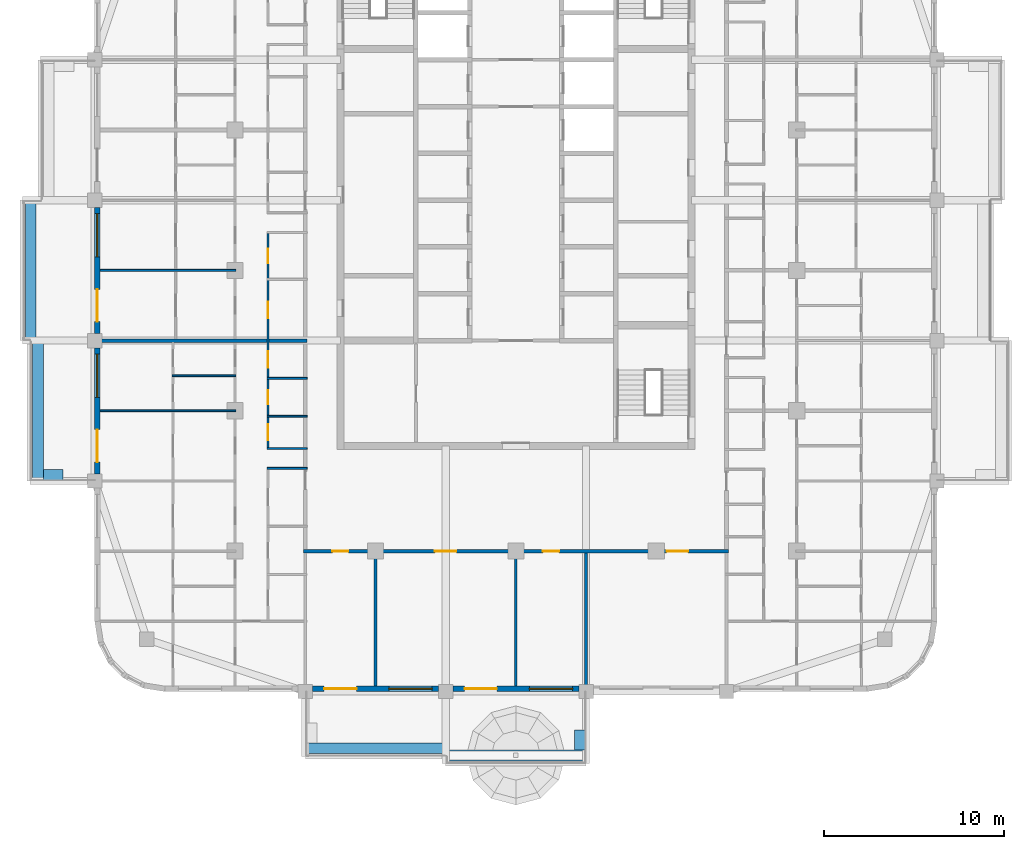
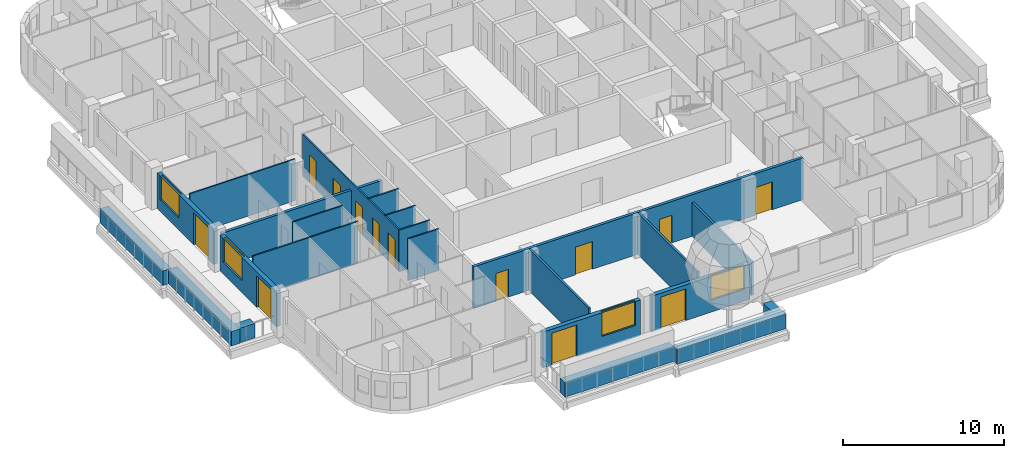
# One storey, part 3 of 17: 23 walls, 13 doors, 4 windows, 17 openings.
"""IFC4 building model written with IfcOpenShell, lengths in metres."""

import ifcopenshell
import ifcopenshell.guid

model = None  # the IFC model being written
_history = None  # IfcOwnerHistory: only IFC2X3 demands one
_inside = {}  # id of a spatial element -> (the spatial element, [elements in it])
_under = {}  # id of a project, library or spatial element -> (it, [spatial elements below it])
_declared = {}  # id of a project -> (the project, [libraries it declares])
_typed = {}  # id of a type object -> (the type object, [elements of that type])
_made_of = {}  # id of a material, layer set ... -> (it, [elements and type objects made of it])


def new_model(schema):
    """Start an empty IFC model of exactly this schema.

    Asked for "IFC4X3", IfcOpenShell would pick the latest addendum, in which some entities
    have other attributes; the version numbers below select the first issue.
    IFC2X3 requires an IfcOwnerHistory on every rooted entity: one is made here for all.
    """
    global model, _history
    if schema == "IFC4X3":
        model = ifcopenshell.file(schema_version=(4, 3, 0, 0))
    else:
        model = ifcopenshell.file(schema=schema)
    _inside.clear()
    _under.clear()
    _declared.clear()
    _typed.clear()
    _made_of.clear()
    _history = None
    if model.schema == "IFC2X3":
        org = make("IfcOrganization", Name="unknown")
        user = make(
            "IfcPersonAndOrganization",
            ThePerson=make("IfcPerson", FamilyName="unknown"),
            TheOrganization=org,
        )
        app = make(
            "IfcApplication",
            ApplicationDeveloper=org,
            Version="unknown",
            ApplicationFullName="unknown",
            ApplicationIdentifier="unknown",
        )
        _history = make(
            "IfcOwnerHistory",
            OwningUser=user,
            OwningApplication=app,
            ChangeAction="ADDED",
            CreationDate=0,
        )
    return model


def make(cls, **values):
    """One entity of the class cls with the attributes given. An attribute that is None is left unset."""
    return model.create_entity(
        cls, **{name: value for name, value in values.items() if value is not None}
    )


def rooted(cls, **values):
    """An entity with a GlobalId (a new one), such as an element, a storey or a relation."""
    return make(cls, GlobalId=ifcopenshell.guid.new(), OwnerHistory=_history, **values)


def si_unit(unit_type, name, prefix=None):
    """IfcSIUnit, for example si_unit("LENGTHUNIT", "METRE", prefix="MILLI")."""
    return make("IfcSIUnit", UnitType=unit_type, Prefix=prefix, Name=name)


def assignment(units):
    """IfcUnitAssignment: the units of a project."""
    return None if units is None else make("IfcUnitAssignment", Units=units)


def point(xyz):
    """IfcCartesianPoint."""
    return None if xyz is None else make("IfcCartesianPoint", Coordinates=xyz)


def direction(xyz):
    """IfcDirection."""
    return None if xyz is None else make("IfcDirection", DirectionRatios=xyz)


def frame(location, z_axis=None, x_axis=None):
    """IfcAxis2Placement3D, a coordinate frame: its origin and axes. An axis left out is left unset."""
    return make(
        "IfcAxis2Placement3D",
        Location=point(location),
        Axis=direction(z_axis),
        RefDirection=direction(x_axis),
    )


def frame_2d(location, x_axis=None):
    """IfcAxis2Placement2D, a coordinate frame in the plane: its origin and x axis."""
    return make(
        "IfcAxis2Placement2D", Location=point(location), RefDirection=direction(x_axis)
    )


def origin():
    """The frame at (0, 0, 0) with its axes left unset."""
    return frame((0.0, 0.0, 0.0))


def place(relative_to, where):
    """IfcLocalPlacement: puts the frame where relative to a parent placement (None: the world)."""
    return make(
        "IfcLocalPlacement", PlacementRelTo=relative_to, RelativePlacement=where
    )


def context(
    kind, dimensions, precision=None, world=None, true_north=None, identifier=None
):
    """IfcGeometricRepresentationContext, for example the 3D "Model" context."""
    return make(
        "IfcGeometricRepresentationContext",
        ContextIdentifier=identifier,
        ContextType=kind,
        CoordinateSpaceDimension=dimensions,
        Precision=precision,
        WorldCoordinateSystem=world,
        TrueNorth=true_north,
    )


def subcontext(parent, identifier, kind, view, scale=None):
    """IfcGeometricRepresentationSubContext, for example "Body" below "Model"."""
    return make(
        "IfcGeometricRepresentationSubContext",
        ContextIdentifier=identifier,
        ContextType=kind,
        ParentContext=parent,
        TargetScale=scale,
        TargetView=view,
    )


def project(units=None, contexts=None):
    """IfcProject with its units and contexts."""
    return rooted(
        "IfcProject",
        Name="project",
        RepresentationContexts=contexts,
        UnitsInContext=assignment(units),
    )


def spatial(cls, under=None, at=None, **own):
    """A site, building, storey or space (cls), placed at a placement, below another one or the project."""
    s = rooted(cls, ObjectPlacement=at, **own)
    if under is not None:
        _under.setdefault(under.id(), (under, []))[1].append(s)
    return s


def profile(cls, at=None, kind="AREA", **sizes):
    """A parametric profile (cls). Its sizes go by their IFC names, for example OverallWidth=200.0."""
    return make(cls, ProfileType=kind, Position=at, **sizes)


def rectangle(**sizes):
    """IfcRectangleProfileDef."""
    return profile("IfcRectangleProfileDef", **sizes)


def extrude(swept, where, along, depth):
    """IfcExtrudedAreaSolid: the profile swept, set in the frame where, extruded along a direction by depth."""
    return make(
        "IfcExtrudedAreaSolid",
        SweptArea=swept,
        Position=where,
        ExtrudedDirection=direction(along),
        Depth=depth,
    )


def shape(context_of_items, identifier, shape_type, items):
    """IfcShapeRepresentation: the items that make up one representation, for example the "Body"."""
    return make(
        "IfcShapeRepresentation",
        ContextOfItems=context_of_items,
        RepresentationIdentifier=identifier,
        RepresentationType=shape_type,
        Items=items,
    )


def material(Name=None, Category=None):
    """IfcMaterial."""
    return make("IfcMaterial", Name=Name, Category=Category)


def layer(
    of_material, thickness, ventilated=None, Name=None, Category=None, Priority=None
):
    """IfcMaterialLayer: one layer of a wall or slab, of a material (None: an air gap)."""
    return make(
        "IfcMaterialLayer",
        Material=of_material,
        LayerThickness=thickness,
        IsVentilated=ventilated,
        Name=Name,
        Category=Category,
        Priority=Priority,
    )


def layer_set(layers, Name=None):
    """IfcMaterialLayerSet."""
    return make("IfcMaterialLayerSet", MaterialLayers=layers, LayerSetName=Name)


def made_of(thing, what):
    """Note that an element or type object is made of a material, layer set ...; save() writes the relation."""
    if what is not None:
        _made_of.setdefault(what.id(), (what, []))[1].append(thing)
    return thing


def type_object(cls, material=None, **own):
    """A type object (cls), such as IfcWallType, which elements share."""
    return made_of(rooted(cls, **own), material)


def element(
    cls,
    number,
    at=None,
    inside=None,
    cuts=None,
    type_object=None,
    material=None,
    context=None,
    identifier="Body",
    shape_type=None,
    held_by="IfcProductDefinitionShape",
    body=None,
    shapes=None,
    **own,
):
    """One element of the class cls, such as IfcWall. Its Tag is "e" and its number.

    at: its placement. inside: the storey or other place that contains it. cuts: it is an
    opening in that element (IfcRelVoidsElement). A single representation is given by context,
    identifier, shape_type and body (its items); several are given by shapes. held_by: the class
    of the entity that holds the representations. save() writes the other relations.
    """
    e = rooted(cls, Tag="e%d" % number, ObjectPlacement=at, **own)
    if body is not None:
        shapes = [shape(context, identifier, shape_type, body)]
    if shapes is not None:
        e.Representation = make(held_by, Representations=shapes)
    if inside is not None:
        _inside.setdefault(inside.id(), (inside, []))[1].append(e)
    if cuts is not None:
        rooted(
            "IfcRelVoidsElement", RelatingBuildingElement=cuts, RelatedOpeningElement=e
        )
    if type_object is not None:
        _typed.setdefault(type_object.id(), (type_object, []))[1].append(e)
    return made_of(e, material)


def fill(opening, filler):
    """IfcRelFillsElement: the door or window that sits in an opening."""
    return rooted(
        "IfcRelFillsElement",
        RelatingOpeningElement=opening,
        RelatedBuildingElement=filler,
    )


def aggregate(whole, parts):
    """IfcRelAggregates: a whole, such as a stair, and the parts it consists of."""
    return rooted("IfcRelAggregates", RelatingObject=whole, RelatedObjects=parts)


def save(model, path):
    """Write the relations noted so far, then the file.

    IfcRelAggregates (storeys below a building ...), IfcRelContainedInSpatialStructure (elements
    in a storey), IfcRelDefinesByType, IfcRelAssociatesMaterial and IfcRelDeclares: one each for
    every whole, place, type object, material and project.
    """
    for whole, parts in _under.values():
        aggregate(whole, parts)
    for where, things in _inside.values():
        rooted(
            "IfcRelContainedInSpatialStructure",
            RelatedElements=things,
            RelatingStructure=where,
        )
    for kind, things in _typed.values():
        rooted("IfcRelDefinesByType", RelatedObjects=things, RelatingType=kind)
    for what, things in _made_of.values():
        rooted("IfcRelAssociatesMaterial", RelatedObjects=things, RelatingMaterial=what)
    for by, libraries in _declared.values():
        rooted("IfcRelDeclares", RelatingContext=by, RelatedDefinitions=libraries)
    model.write(path)


model = new_model("IFC4")

# Units and contexts
model_context = context("Model", 3, precision=1e-05, world=origin(), true_north=direction((0.0, 1.0)))
body_context = subcontext(model_context, "Body", "Model", "MODEL_VIEW")
ifc_project = project(units=[si_unit("LENGTHUNIT", "METRE"), si_unit("AREAUNIT", "SQUARE_METRE"), si_unit("VOLUMEUNIT", "CUBIC_METRE"), si_unit("PLANEANGLEUNIT", "RADIAN"), si_unit("MASSUNIT", "GRAM", prefix="KILO")], contexts=[model_context])

# Site, building, storey
site_placement = place(None, origin())
site = spatial("IfcSite", under=ifc_project, at=site_placement, CompositionType="ELEMENT")
building_placement = place(site_placement, origin())
building = spatial("IfcBuilding", under=site, at=building_placement, Name="Ludao Terraces", CompositionType="ELEMENT")
storey_placement = place(building_placement, frame((0.0, 0.0, 221.10009765625)))
storey = spatial("IfcBuildingStorey", under=building, at=storey_placement, Name="L60", CompositionType="ELEMENT", Elevation=221.10009765625)

# Walls
ifc_material_1 = material(Name="Concrete C40", Category="concrete")
ifc_layer_1 = layer(ifc_material_1, 0.60009765625)
ifc_layer_set_1 = layer_set([ifc_layer_1], Name="ENV Planter trough 600")
wall_type_1 = type_object("IfcWallType", Name="ENV Planter trough 600", PredefinedType="USERDEFINED", material=ifc_layer_set_1)
wall_1_placement = place(storey_placement, frame((73.300048828125, 38.449951171875, 0.0), z_axis=(0.0, 0.0, 1.0), x_axis=(1.0, 0.0, 0.0)))
element("IfcWall", 1, at=wall_1_placement, inside=storey, type_object=wall_type_1, Name="PL-L60-S1", ObjectType="PLANTER", PredefinedType="USERDEFINED", context=body_context, shape_type="SweptSolid", body=[
    extrude(rectangle(XDim=7.800048828125, YDim=0.60009765625, at=frame_2d((3.89990234375, 0.0))), origin(), (0.0, 0.0, 1.0), 1.099853515625),
])
wall_2_placement = place(storey_placement, frame((81.10009765625, 38.050048828125, 0.0), z_axis=(0.0, 0.0, 1.0), x_axis=(1.0, 0.0, 0.0)))
element("IfcWall", 2, at=wall_2_placement, inside=storey, type_object=wall_type_1, Name="PL-L60-S2", ObjectType="PLANTER", PredefinedType="USERDEFINED", context=body_context, shape_type="SweptSolid", body=[
    extrude(rectangle(XDim=7.7998046875, YDim=0.60009765625, at=frame_2d((3.89990234375, 0.0))), origin(), (0.0, 0.0, 1.0), 1.099853515625),
])
wall_3_placement = place(storey_placement, frame((88.550048828125, 38.35009765625, 0.0), z_axis=(0.0, 0.0, 1.0), x_axis=(0.0, 1.0, 0.0)))
element("IfcWall", 3, at=wall_3_placement, inside=storey, type_object=wall_type_1, Name="PL-L60-S2-SB", ObjectType="PLANTER", PredefinedType="USERDEFINED", context=body_context, shape_type="SweptSolid", body=[
    extrude(rectangle(XDim=1.099853515625, YDim=0.60009765625, at=frame_2d((0.5498046875, 0.0))), origin(), (0.0, 0.0, 1.0), 1.099853515625),
])
wall_4_placement = place(storey_placement, frame((58.449951171875, 53.300048828125, 0.0), z_axis=(0.0, 0.0, 1.0), x_axis=(0.0, 1.0, 0.0)))
element("IfcWall", 4, at=wall_4_placement, inside=storey, type_object=wall_type_1, Name="PL-L60-W1", ObjectType="PLANTER", PredefinedType="USERDEFINED", context=body_context, shape_type="SweptSolid", body=[
    extrude(rectangle(XDim=7.800048828125, YDim=0.60009765625, at=frame_2d((3.89990234375, 0.0))), origin(), (0.0, 0.0, 1.0), 1.099853515625),
])
wall_5_placement = place(storey_placement, frame((58.75, 53.64990234375, 0.0), z_axis=(0.0, 0.0, 1.0), x_axis=(1.0, 0.0, 0.0)))
element("IfcWall", 5, at=wall_5_placement, inside=storey, type_object=wall_type_1, Name="PL-L60-W1-SA", ObjectType="PLANTER", PredefinedType="USERDEFINED", context=body_context, shape_type="SweptSolid", body=[
    extrude(rectangle(XDim=1.10009765625, YDim=0.60009765625, at=frame_2d((0.550048828125, 0.0))), origin(), (0.0, 0.0, 1.0), 1.099853515625),
])
wall_6_placement = place(storey_placement, frame((58.050048828125, 61.10009765625, 0.0), z_axis=(0.0, 0.0, 1.0), x_axis=(0.0, 1.0, 0.0)))
element("IfcWall", 6, at=wall_6_placement, inside=storey, type_object=wall_type_1, Name="PL-L60-W2", ObjectType="PLANTER", PredefinedType="USERDEFINED", context=body_context, shape_type="SweptSolid", body=[
    extrude(rectangle(XDim=7.7998046875, YDim=0.60009765625, at=frame_2d((3.89990234375, 0.0))), origin(), (0.0, 0.0, 1.0), 1.099853515625),
])

# Wall, openings, door, window
ifc_material_2 = material(Name="Granite cladding", Category="masonry")
ifc_layer_2 = layer(ifc_material_2, 0.0400390625, Category="stone")
ifc_material_3 = material(Name="Mineral wool")
ifc_layer_3 = layer(ifc_material_3, 0.06005859375)
ifc_layer_4 = layer(ifc_material_1, 0.199951171875, Category="concrete")
ifc_layer_set_2 = layer_set([ifc_layer_2, ifc_layer_3, ifc_layer_4], Name="ENV Stone-clad wall 300")
wall_type_2 = type_object("IfcWallType", Name="ENV Stone-clad wall 300", PredefinedType="SOLIDWALL", material=ifc_layer_set_2)
wall_7_placement = place(storey_placement, frame((73.699951171875, 41.75, 0.0), z_axis=(0.0, 0.0, 1.0), x_axis=(1.0, 0.0, 0.0)))
wall_7 = element("IfcWall", 7, at=wall_7_placement, inside=storey, type_object=wall_type_2, Name="EW-L60-S2", PredefinedType="SOLIDWALL", context=body_context, shape_type="SweptSolid", body=[
    extrude(rectangle(XDim=7.0, YDim=0.300048828125, at=frame_2d((3.5, 0.0))), origin(), (0.0, 0.0, 1.0), 2.699951171875),
])
opening_1_placement = place(wall_7_placement, frame((0.64990234375, 0.0, 0.0)))
opening_1 = element("IfcOpeningElement", 8, at=opening_1_placement, cuts=wall_7, Name="Opening BD", PredefinedType="OPENING", context=body_context, shape_type="SweptSolid", body=[
    extrude(rectangle(XDim=1.800048828125, YDim=2.39990234375, at=frame_2d((0.89990234375, 1.199951171875))), frame((0.0, 0.16015625, 0.0), z_axis=(0.0, -1.0, 0.0), x_axis=(1.0, 0.0, 0.0)), (0.0, 0.0, 1.0), 0.320068359375),
])
opening_2_placement = place(wall_7_placement, frame((4.25, 0.0, 0.89990234375)))
opening_2 = element("IfcOpeningElement", 9, at=opening_2_placement, cuts=wall_7, Name="Opening W1", PredefinedType="OPENING", context=body_context, shape_type="SweptSolid", body=[
    extrude(rectangle(XDim=2.39990234375, YDim=1.800048828125, at=frame_2d((1.199951171875, 0.89990234375))), frame((0.0, 0.16015625, 0.0), z_axis=(0.0, -1.0, 0.0), x_axis=(1.0, 0.0, 0.0)), (0.0, 0.0, 1.0), 0.320068359375),
])
ifc_material_4 = material(Name="Aluminium glazed door", Category="aluminium")
ifc_layer_5 = layer(ifc_material_4, 0.06005859375)
ifc_layer_set_3 = layer_set([ifc_layer_5], Name="ENV Balcony door BD 1800x2400")
door_type_1 = type_object("IfcDoorType", Name="ENV Balcony door BD 1800x2400", OperationType="DOUBLE_DOOR_SINGLE_SWING", PredefinedType="DOOR", material=ifc_layer_set_3)
door_1_placement = place(opening_1_placement, origin())
door_1 = element("IfcDoor", 10, at=door_1_placement, inside=storey, type_object=door_type_1, Name="BD-L60-S2-1", OperationType="DOUBLE_DOOR_SINGLE_SWING", OverallHeight=2.39990234375, OverallWidth=1.800048828125, PredefinedType="DOOR", context=body_context, shape_type="SweptSolid", body=[
    extrude(rectangle(XDim=1.800048828125, YDim=2.39990234375, at=frame_2d((0.89990234375, 1.199951171875))), frame((0.0, 0.02490234375, 0.0), z_axis=(0.0, -1.0, 0.0), x_axis=(1.0, 0.0, 0.0)), (0.0, 0.0, 1.0), 0.050048828125),
])
fill(opening_1, door_1)
ifc_material_5 = material(Name="Clear glass in aluminium frame", Category="aluminium")
ifc_layer_6 = layer(ifc_material_5, 0.06005859375)
ifc_layer_set_4 = layer_set([ifc_layer_6], Name="ENV Window W1 2400x1800")
window_type = type_object("IfcWindowType", Name="ENV Window W1 2400x1800", PartitioningType="DOUBLE_PANEL_VERTICAL", PredefinedType="WINDOW", material=ifc_layer_set_4)
window_1_placement = place(opening_2_placement, origin())
window_1 = element("IfcWindow", 11, at=window_1_placement, inside=storey, type_object=window_type, Name="W-L60-S2-2", OverallHeight=1.800048828125, OverallWidth=2.39990234375, PartitioningType="DOUBLE_PANEL_VERTICAL", PredefinedType="WINDOW", context=body_context, shape_type="SweptSolid", body=[
    extrude(rectangle(XDim=2.39990234375, YDim=1.800048828125, at=frame_2d((1.199951171875, 0.89990234375))), frame((0.0, 0.030029296875, 0.0), z_axis=(0.0, -1.0, 0.0), x_axis=(1.0, 0.0, 0.0)), (0.0, 0.0, 1.0), 0.06005859375),
])
fill(opening_2, window_1)

wall_8_placement = place(storey_placement, frame((81.5, 41.75, 0.0), z_axis=(0.0, 0.0, 1.0), x_axis=(1.0, 0.0, 0.0)))
wall_8 = element("IfcWall", 12, at=wall_8_placement, inside=storey, type_object=wall_type_2, Name="EW-L60-S3", PredefinedType="SOLIDWALL", context=body_context, shape_type="SweptSolid", body=[
    extrude(rectangle(XDim=7.0, YDim=0.300048828125, at=frame_2d((3.5, 0.0))), origin(), (0.0, 0.0, 1.0), 2.699951171875),
])
opening_3_placement = place(wall_8_placement, frame((0.64990234375, 0.0, 0.0)))
opening_3 = element("IfcOpeningElement", 13, at=opening_3_placement, cuts=wall_8, Name="Opening BD", PredefinedType="OPENING", context=body_context, shape_type="SweptSolid", body=[
    extrude(rectangle(XDim=1.800048828125, YDim=2.39990234375, at=frame_2d((0.89990234375, 1.199951171875))), frame((0.0, 0.16015625, 0.0), z_axis=(0.0, -1.0, 0.0), x_axis=(1.0, 0.0, 0.0)), (0.0, 0.0, 1.0), 0.320068359375),
])
opening_4_placement = place(wall_8_placement, frame((4.25, 0.0, 0.89990234375)))
opening_4 = element("IfcOpeningElement", 14, at=opening_4_placement, cuts=wall_8, Name="Opening W1", PredefinedType="OPENING", context=body_context, shape_type="SweptSolid", body=[
    extrude(rectangle(XDim=2.39990234375, YDim=1.800048828125, at=frame_2d((1.199951171875, 0.89990234375))), frame((0.0, 0.16015625, 0.0), z_axis=(0.0, -1.0, 0.0), x_axis=(1.0, 0.0, 0.0)), (0.0, 0.0, 1.0), 0.320068359375),
])
door_2_placement = place(opening_3_placement, origin())
door_2 = element("IfcDoor", 15, at=door_2_placement, inside=storey, type_object=door_type_1, Name="BD-L60-S3-1", OperationType="DOUBLE_DOOR_SINGLE_SWING", OverallHeight=2.39990234375, OverallWidth=1.800048828125, PredefinedType="DOOR", context=body_context, shape_type="SweptSolid", body=[
    extrude(rectangle(XDim=1.800048828125, YDim=2.39990234375, at=frame_2d((0.89990234375, 1.199951171875))), frame((0.0, 0.02490234375, 0.0), z_axis=(0.0, -1.0, 0.0), x_axis=(1.0, 0.0, 0.0)), (0.0, 0.0, 1.0), 0.050048828125),
])
fill(opening_3, door_2)
window_2_placement = place(opening_4_placement, origin())
window_2 = element("IfcWindow", 16, at=window_2_placement, inside=storey, type_object=window_type, Name="W-L60-S3-2", OverallHeight=1.800048828125, OverallWidth=2.39990234375, PartitioningType="DOUBLE_PANEL_VERTICAL", PredefinedType="WINDOW", context=body_context, shape_type="SweptSolid", body=[
    extrude(rectangle(XDim=2.39990234375, YDim=1.800048828125, at=frame_2d((1.199951171875, 0.89990234375))), frame((0.0, 0.030029296875, 0.0), z_axis=(0.0, -1.0, 0.0), x_axis=(1.0, 0.0, 0.0)), (0.0, 0.0, 1.0), 0.06005859375),
])
fill(opening_4, window_2)

wall_9_placement = place(storey_placement, frame((61.75, 53.699951171875, 0.0), z_axis=(0.0, 0.0, 1.0), x_axis=(0.0, 1.0, 0.0)))
wall_9 = element("IfcWall", 17, at=wall_9_placement, inside=storey, type_object=wall_type_2, Name="EW-L60-W2", PredefinedType="SOLIDWALL", context=body_context, shape_type="SweptSolid", body=[
    extrude(rectangle(XDim=7.0, YDim=0.300048828125, at=frame_2d((3.5, 0.0))), origin(), (0.0, 0.0, 1.0), 2.699951171875),
])
opening_5_placement = place(wall_9_placement, frame((0.64990234375, 0.0, 0.0)))
opening_5 = element("IfcOpeningElement", 18, at=opening_5_placement, cuts=wall_9, Name="Opening BD", PredefinedType="OPENING", context=body_context, shape_type="SweptSolid", body=[
    extrude(rectangle(XDim=1.800048828125, YDim=2.39990234375, at=frame_2d((0.89990234375, 1.199951171875))), frame((0.0, 0.16015625, 0.0), z_axis=(0.0, -1.0, 0.0), x_axis=(1.0, 0.0, 0.0)), (0.0, 0.0, 1.0), 0.320068359375),
])
opening_6_placement = place(wall_9_placement, frame((4.25, 0.0, 0.89990234375)))
opening_6 = element("IfcOpeningElement", 19, at=opening_6_placement, cuts=wall_9, Name="Opening W1", PredefinedType="OPENING", context=body_context, shape_type="SweptSolid", body=[
    extrude(rectangle(XDim=2.39990234375, YDim=1.800048828125, at=frame_2d((1.199951171875, 0.89990234375))), frame((0.0, 0.16015625, 0.0), z_axis=(0.0, -1.0, 0.0), x_axis=(1.0, 0.0, 0.0)), (0.0, 0.0, 1.0), 0.320068359375),
])
door_3_placement = place(opening_5_placement, origin())
door_3 = element("IfcDoor", 20, at=door_3_placement, inside=storey, type_object=door_type_1, Name="BD-L60-W2-1", OperationType="DOUBLE_DOOR_SINGLE_SWING", OverallHeight=2.39990234375, OverallWidth=1.800048828125, PredefinedType="DOOR", context=body_context, shape_type="SweptSolid", body=[
    extrude(rectangle(XDim=1.800048828125, YDim=2.39990234375, at=frame_2d((0.89990234375, 1.199951171875))), frame((0.0, 0.02490234375, 0.0), z_axis=(0.0, -1.0, 0.0), x_axis=(1.0, 0.0, 0.0)), (0.0, 0.0, 1.0), 0.050048828125),
])
fill(opening_5, door_3)
window_3_placement = place(opening_6_placement, origin())
window_3 = element("IfcWindow", 21, at=window_3_placement, inside=storey, type_object=window_type, Name="W-L60-W2-2", OverallHeight=1.800048828125, OverallWidth=2.39990234375, PartitioningType="DOUBLE_PANEL_VERTICAL", PredefinedType="WINDOW", context=body_context, shape_type="SweptSolid", body=[
    extrude(rectangle(XDim=2.39990234375, YDim=1.800048828125, at=frame_2d((1.199951171875, 0.89990234375))), frame((0.0, 0.030029296875, 0.0), z_axis=(0.0, -1.0, 0.0), x_axis=(1.0, 0.0, 0.0)), (0.0, 0.0, 1.0), 0.06005859375),
])
fill(opening_6, window_3)

wall_10_placement = place(storey_placement, frame((61.75, 61.5, 0.0), z_axis=(0.0, 0.0, 1.0), x_axis=(0.0, 1.0, 0.0)))
wall_10 = element("IfcWall", 22, at=wall_10_placement, inside=storey, type_object=wall_type_2, Name="EW-L60-W3", PredefinedType="SOLIDWALL", context=body_context, shape_type="SweptSolid", body=[
    extrude(rectangle(XDim=7.0, YDim=0.300048828125, at=frame_2d((3.5, 0.0))), origin(), (0.0, 0.0, 1.0), 2.699951171875),
])
opening_7_placement = place(wall_10_placement, frame((0.64990234375, 0.0, 0.0)))
opening_7 = element("IfcOpeningElement", 23, at=opening_7_placement, cuts=wall_10, Name="Opening BD", PredefinedType="OPENING", context=body_context, shape_type="SweptSolid", body=[
    extrude(rectangle(XDim=1.800048828125, YDim=2.39990234375, at=frame_2d((0.89990234375, 1.199951171875))), frame((0.0, 0.16015625, 0.0), z_axis=(0.0, -1.0, 0.0), x_axis=(1.0, 0.0, 0.0)), (0.0, 0.0, 1.0), 0.320068359375),
])
opening_8_placement = place(wall_10_placement, frame((4.25, 0.0, 0.89990234375)))
opening_8 = element("IfcOpeningElement", 24, at=opening_8_placement, cuts=wall_10, Name="Opening W1", PredefinedType="OPENING", context=body_context, shape_type="SweptSolid", body=[
    extrude(rectangle(XDim=2.39990234375, YDim=1.800048828125, at=frame_2d((1.199951171875, 0.89990234375))), frame((0.0, 0.16015625, 0.0), z_axis=(0.0, -1.0, 0.0), x_axis=(1.0, 0.0, 0.0)), (0.0, 0.0, 1.0), 0.320068359375),
])
door_4_placement = place(opening_7_placement, origin())
door_4 = element("IfcDoor", 25, at=door_4_placement, inside=storey, type_object=door_type_1, Name="BD-L60-W3-1", OperationType="DOUBLE_DOOR_SINGLE_SWING", OverallHeight=2.39990234375, OverallWidth=1.800048828125, PredefinedType="DOOR", context=body_context, shape_type="SweptSolid", body=[
    extrude(rectangle(XDim=1.800048828125, YDim=2.39990234375, at=frame_2d((0.89990234375, 1.199951171875))), frame((0.0, 0.02490234375, 0.0), z_axis=(0.0, -1.0, 0.0), x_axis=(1.0, 0.0, 0.0)), (0.0, 0.0, 1.0), 0.050048828125),
])
fill(opening_7, door_4)
window_4_placement = place(opening_8_placement, origin())
window_4 = element("IfcWindow", 26, at=window_4_placement, inside=storey, type_object=window_type, Name="W-L60-W3-2", OverallHeight=1.800048828125, OverallWidth=2.39990234375, PartitioningType="DOUBLE_PANEL_VERTICAL", PredefinedType="WINDOW", context=body_context, shape_type="SweptSolid", body=[
    extrude(rectangle(XDim=2.39990234375, YDim=1.800048828125, at=frame_2d((1.199951171875, 0.89990234375))), frame((0.0, 0.030029296875, 0.0), z_axis=(0.0, -1.0, 0.0), x_axis=(1.0, 0.0, 0.0)), (0.0, 0.0, 1.0), 0.06005859375),
])
fill(opening_8, window_4)

# Wall, openings, doors
ifc_material_6 = material(Name="Autoclaved aerated concrete block B06 A3.5", Category="concrete")
ifc_layer_7 = layer(ifc_material_6, 0.199951171875)
ifc_layer_set_5 = layer_set([ifc_layer_7], Name="INT Entrance wall 200")
wall_type_3 = type_object("IfcWallType", Name="INT Entrance wall 200", PredefinedType="PARTITIONING", material=ifc_layer_set_5)
wall_11_placement = place(storey_placement, frame((73.2001953125, 49.39990234375, 0.0), z_axis=(0.0, 0.0, 1.0), x_axis=(1.0, 0.0, 0.0)))
wall_11 = element("IfcWall", 27, at=wall_11_placement, inside=storey, type_object=wall_type_3, Name="PW-L60-PW007", PredefinedType="PARTITIONING", context=body_context, shape_type="SweptSolid", body=[
    extrude(rectangle(XDim=23.599853515625, YDim=0.199951171875, at=frame_2d((11.7998046875, 0.0))), origin(), (0.0, 0.0, 1.0), 3.14990234375),
])
opening_9_placement = place(wall_11_placement, frame((1.599853515625, 0.0, 0.0)))
opening_9 = element("IfcOpeningElement", 28, at=opening_9_placement, cuts=wall_11, Name="Opening R21-016", PredefinedType="OPENING", context=body_context, shape_type="SweptSolid", body=[
    extrude(rectangle(XDim=0.89990234375, YDim=2.10009765625, at=frame_2d((0.449951171875, 1.050048828125))), frame((0.0, 0.10986328125, 0.0), z_axis=(0.0, -1.0, 0.0), x_axis=(1.0, 0.0, 0.0)), (0.0, 0.0, 1.0), 0.219970703125),
])
opening_10_placement = place(wall_11_placement, frame((7.2998046875, 0.0, 0.0)))
opening_10 = element("IfcOpeningElement", 29, at=opening_10_placement, cuts=wall_11, Name="Opening R21-017", PredefinedType="OPENING", context=body_context, shape_type="SweptSolid", body=[
    extrude(rectangle(XDim=1.199951171875, YDim=2.10009765625, at=frame_2d((0.60009765625, 1.050048828125))), frame((0.0, 0.10986328125, 0.0), z_axis=(0.0, -1.0, 0.0), x_axis=(1.0, 0.0, 0.0)), (0.0, 0.0, 1.0), 0.219970703125),
])
opening_11_placement = place(wall_11_placement, frame((13.2998046875, 0.0, 0.0)))
opening_11 = element("IfcOpeningElement", 30, at=opening_11_placement, cuts=wall_11, Name="Opening R21-018", PredefinedType="OPENING", context=body_context, shape_type="SweptSolid", body=[
    extrude(rectangle(XDim=0.89990234375, YDim=2.10009765625, at=frame_2d((0.449951171875, 1.050048828125))), frame((0.0, 0.10986328125, 0.0), z_axis=(0.0, -1.0, 0.0), x_axis=(1.0, 0.0, 0.0)), (0.0, 0.0, 1.0), 0.219970703125),
])
opening_12_placement = place(wall_11_placement, frame((20.1748046875, 0.0, 0.0)))
opening_12 = element("IfcOpeningElement", 31, at=opening_12_placement, cuts=wall_11, Name="Opening R21-019", PredefinedType="OPENING", context=body_context, shape_type="SweptSolid", body=[
    extrude(rectangle(XDim=1.199951171875, YDim=2.10009765625, at=frame_2d((0.60009765625, 1.050048828125))), frame((0.0, 0.10986328125, 0.0), z_axis=(0.0, -1.0, 0.0), x_axis=(1.0, 0.0, 0.0)), (0.0, 0.0, 1.0), 0.219970703125),
])
ifc_material_7 = material(Name="Timber door leaf", Category="wood")
door_type_2 = type_object("IfcDoorType", Name="INT Double door 1200", OperationType="DOUBLE_DOOR_SINGLE_SWING", PredefinedType="DOOR", material=ifc_material_7)
door_5_placement = place(opening_10_placement, origin())
door_5 = element("IfcDoor", 32, at=door_5_placement, inside=storey, type_object=door_type_2, Name="DOOR 017", OperationType="DOUBLE_DOOR_SINGLE_SWING", OverallHeight=2.10009765625, OverallWidth=1.199951171875, PredefinedType="DOOR", context=body_context, shape_type="SweptSolid", body=[
    extrude(rectangle(XDim=1.199951171875, YDim=2.10009765625, at=frame_2d((0.60009765625, 1.050048828125))), frame((0.0, 0.02490234375, 0.0), z_axis=(0.0, -1.0, 0.0), x_axis=(1.0, 0.0, 0.0)), (0.0, 0.0, 1.0), 0.050048828125),
])
fill(opening_10, door_5)
door_6_placement = place(opening_12_placement, origin())
door_6 = element("IfcDoor", 33, at=door_6_placement, inside=storey, type_object=door_type_2, Name="DOOR 019", OperationType="DOUBLE_DOOR_SINGLE_SWING", OverallHeight=2.10009765625, OverallWidth=1.199951171875, PredefinedType="DOOR", context=body_context, shape_type="SweptSolid", body=[
    extrude(rectangle(XDim=1.199951171875, YDim=2.10009765625, at=frame_2d((0.60009765625, 1.050048828125))), frame((0.0, 0.02490234375, 0.0), z_axis=(0.0, -1.0, 0.0), x_axis=(1.0, 0.0, 0.0)), (0.0, 0.0, 1.0), 0.050048828125),
])
fill(opening_12, door_6)
door_type_3 = type_object("IfcDoorType", Name="INT Room door 900", OperationType="SINGLE_SWING_LEFT", PredefinedType="DOOR", material=ifc_material_7)
door_7_placement = place(opening_9_placement, origin())
door_7 = element("IfcDoor", 34, at=door_7_placement, inside=storey, type_object=door_type_3, Name="DOOR 016", OperationType="SINGLE_SWING_RIGHT", OverallHeight=2.10009765625, OverallWidth=0.89990234375, PredefinedType="DOOR", context=body_context, shape_type="SweptSolid", body=[
    extrude(rectangle(XDim=0.89990234375, YDim=2.10009765625, at=frame_2d((0.449951171875, 1.050048828125))), frame((0.0, 0.02490234375, 0.0), z_axis=(0.0, -1.0, 0.0), x_axis=(1.0, 0.0, 0.0)), (0.0, 0.0, 1.0), 0.050048828125),
])
fill(opening_9, door_7)
door_8_placement = place(opening_11_placement, origin())
door_8 = element("IfcDoor", 35, at=door_8_placement, inside=storey, type_object=door_type_3, Name="DOOR 018", OperationType="SINGLE_SWING_RIGHT", OverallHeight=2.10009765625, OverallWidth=0.89990234375, PredefinedType="DOOR", context=body_context, shape_type="SweptSolid", body=[
    extrude(rectangle(XDim=0.89990234375, YDim=2.10009765625, at=frame_2d((0.449951171875, 1.050048828125))), frame((0.0, 0.02490234375, 0.0), z_axis=(0.0, -1.0, 0.0), x_axis=(1.0, 0.0, 0.0)), (0.0, 0.0, 1.0), 0.050048828125),
])
fill(opening_11, door_8)

# Walls
ifc_material_8 = material(Name="Gypsum plasterboard", Category="gypsum")
ifc_layer_8 = layer(ifc_material_8, 0.012451171875, Category="gypsum")
ifc_layer_9 = layer(ifc_material_3, 0.06005859375, Name="insulation")
ifc_material_9 = material(Name="Steel Q235", Category="steel")
ifc_layer_10 = layer(ifc_material_9, 0.014892578125, Name="stud")
ifc_layer_11 = layer(ifc_material_8, 0.012451171875, Category="gypsum")
ifc_layer_set_6 = layer_set([ifc_layer_8, ifc_layer_9, ifc_layer_10, ifc_layer_11], Name="INT Partition 100")
wall_type_4 = type_object("IfcWallType", Name="INT Partition 100", PredefinedType="PARTITIONING", material=ifc_layer_set_6)
for number, where, z_axis, x_axis, name in (
    (36, (71.18017578125, 54.0, 0.0), (0.0, 0.0, 1.0), (1.0, 0.0, 0.0), "PW-L60-PW015"),
    (37, (71.18017578125, 55.10009765625, 0.0), (0.0, 0.0, 1.0), (1.0, 0.0, 0.0), "PW-L60-PW017"),
    (38, (71.18017578125, 56.89990234375, 0.0), (0.0, 0.0, 1.0), (1.0, 0.0, 0.0), "PW-L60-PW019"),
):
    element("IfcWall", number, at=place(storey_placement, frame(where, z_axis=z_axis, x_axis=x_axis)), inside=storey, type_object=wall_type_4, Name=name, PredefinedType="PARTITIONING", context=body_context, shape_type="SweptSolid", body=[
        extrude(rectangle(XDim=2.219970703125, YDim=0.10009765625, at=frame_2d((1.10986328125, 0.0))), origin(), (0.0, 0.0, 1.0), 3.14990234375),
    ])
wall_12_placement = place(storey_placement, frame((61.900146484375, 57.199951171875, 0.0), z_axis=(0.0, 0.0, 1.0), x_axis=(1.0, 0.0, 0.0)))
element("IfcWall", 39, at=wall_12_placement, inside=storey, type_object=wall_type_4, Name="PW-L60-PW020", PredefinedType="PARTITIONING", context=body_context, shape_type="SweptSolid", body=[
    extrude(rectangle(XDim=7.550048828125, YDim=0.10009765625, at=frame_2d((3.77490234375, 0.0))), origin(), (0.0, 0.0, 1.0), 3.14990234375),
])
wall_13_placement = place(storey_placement, frame((71.18017578125, 59.0, 0.0), z_axis=(0.0, 0.0, 1.0), x_axis=(1.0, 0.0, 0.0)))
element("IfcWall", 40, at=wall_13_placement, inside=storey, type_object=wall_type_4, Name="PW-L60-PW022", PredefinedType="PARTITIONING", context=body_context, shape_type="SweptSolid", body=[
    extrude(rectangle(XDim=2.219970703125, YDim=0.10009765625, at=frame_2d((1.10986328125, 0.0))), origin(), (0.0, 0.0, 1.0), 3.14990234375),
])
wall_14_placement = place(storey_placement, frame((65.900146484375, 59.14990234375, 0.0), z_axis=(0.0, 0.0, 1.0), x_axis=(1.0, 0.0, 0.0)))
element("IfcWall", 41, at=wall_14_placement, inside=storey, type_object=wall_type_4, Name="PW-L60-PW024", PredefinedType="PARTITIONING", context=body_context, shape_type="SweptSolid", body=[
    extrude(rectangle(XDim=3.550048828125, YDim=0.10009765625, at=frame_2d((1.77490234375, 0.0))), origin(), (0.0, 0.0, 1.0), 3.14990234375),
])
wall_15_placement = place(storey_placement, frame((61.900146484375, 65.0, 0.0), z_axis=(0.0, 0.0, 1.0), x_axis=(1.0, 0.0, 0.0)))
element("IfcWall", 42, at=wall_15_placement, inside=storey, type_object=wall_type_4, Name="PW-L60-PW032", PredefinedType="PARTITIONING", context=body_context, shape_type="SweptSolid", body=[
    extrude(rectangle(XDim=7.550048828125, YDim=0.10009765625, at=frame_2d((3.77490234375, 0.0))), origin(), (0.0, 0.0, 1.0), 3.14990234375),
])

# Wall, openings, doors
wall_16_placement = place(storey_placement, frame((71.22998046875, 55.150146484375, 0.0), z_axis=(0.0, 0.0, 1.0), x_axis=(0.0, 1.0, 0.0)))
wall_16 = element("IfcWall", 43, at=wall_16_placement, inside=storey, type_object=wall_type_4, Name="PW-L60-PW074", PredefinedType="PARTITIONING", context=body_context, shape_type="SweptSolid", body=[
    extrude(rectangle(XDim=11.89990234375, YDim=0.10009765625, at=frame_2d((5.949951171875, 0.0))), origin(), (0.0, 0.0, 1.0), 3.14990234375),
])
opening_13_placement = place(wall_16_placement, frame((0.39990234375, 0.0, 0.0)))
opening_13 = element("IfcOpeningElement", 44, at=opening_13_placement, cuts=wall_16, Name="Opening R21-034", PredefinedType="OPENING", context=body_context, shape_type="SweptSolid", body=[
    extrude(rectangle(XDim=0.89990234375, YDim=2.10009765625, at=frame_2d((0.449951171875, 1.050048828125))), frame((0.0, 0.06005859375, 0.0), z_axis=(0.0, -1.0, 0.0), x_axis=(1.0, 0.0, 0.0)), (0.0, 0.0, 1.0), 0.1201171875),
])
opening_14_placement = place(wall_16_placement, frame((2.39990234375, 0.0, 0.0)))
opening_14 = element("IfcOpeningElement", 45, at=opening_14_placement, cuts=wall_16, Name="Opening R21-040", PredefinedType="OPENING", context=body_context, shape_type="SweptSolid", body=[
    extrude(rectangle(XDim=0.800048828125, YDim=2.10009765625, at=frame_2d((0.39990234375, 1.050048828125))), frame((0.0, 0.06005859375, 0.0), z_axis=(0.0, -1.0, 0.0), x_axis=(1.0, 0.0, 0.0)), (0.0, 0.0, 1.0), 0.1201171875),
])
opening_15_placement = place(wall_16_placement, frame((4.449951171875, 0.0, 0.0)))
opening_15 = element("IfcOpeningElement", 46, at=opening_15_placement, cuts=wall_16, Name="Opening R21-046", PredefinedType="OPENING", context=body_context, shape_type="SweptSolid", body=[
    extrude(rectangle(XDim=0.89990234375, YDim=2.10009765625, at=frame_2d((0.449951171875, 1.050048828125))), frame((0.0, 0.06005859375, 0.0), z_axis=(0.0, -1.0, 0.0), x_axis=(1.0, 0.0, 0.0)), (0.0, 0.0, 1.0), 0.1201171875),
])
opening_16_placement = place(wall_16_placement, frame((7.199951171875, 0.0, 0.0)))
opening_16 = element("IfcOpeningElement", 47, at=opening_16_placement, cuts=wall_16, Name="Opening R21-055", PredefinedType="OPENING", context=body_context, shape_type="SweptSolid", body=[
    extrude(rectangle(XDim=0.89990234375, YDim=2.10009765625, at=frame_2d((0.449951171875, 1.050048828125))), frame((0.0, 0.06005859375, 0.0), z_axis=(0.0, -1.0, 0.0), x_axis=(1.0, 0.0, 0.0)), (0.0, 0.0, 1.0), 0.1201171875),
])
opening_17_placement = place(wall_16_placement, frame((10.25, 0.0, 0.0)))
opening_17 = element("IfcOpeningElement", 48, at=opening_17_placement, cuts=wall_16, Name="Opening R21-065", PredefinedType="OPENING", context=body_context, shape_type="SweptSolid", body=[
    extrude(rectangle(XDim=0.800048828125, YDim=2.10009765625, at=frame_2d((0.39990234375, 1.050048828125))), frame((0.0, 0.06005859375, 0.0), z_axis=(0.0, -1.0, 0.0), x_axis=(1.0, 0.0, 0.0)), (0.0, 0.0, 1.0), 0.1201171875),
])
door_type_4 = type_object("IfcDoorType", Name="INT Bathroom door 900", OperationType="SINGLE_SWING_LEFT", PredefinedType="DOOR", material=ifc_material_7)
door_9_placement = place(opening_13_placement, origin())
door_9 = element("IfcDoor", 49, at=door_9_placement, inside=storey, type_object=door_type_4, Name="DOOR 034", OperationType="SINGLE_SWING_RIGHT", OverallHeight=2.10009765625, OverallWidth=0.89990234375, PredefinedType="DOOR", context=body_context, shape_type="SweptSolid", body=[
    extrude(rectangle(XDim=0.89990234375, YDim=2.10009765625, at=frame_2d((0.449951171875, 1.050048828125))), frame((0.0, 0.02490234375, 0.0), z_axis=(0.0, -1.0, 0.0), x_axis=(1.0, 0.0, 0.0)), (0.0, 0.0, 1.0), 0.050048828125),
])
fill(opening_13, door_9)
door_10_placement = place(opening_15_placement, origin())
door_10 = element("IfcDoor", 50, at=door_10_placement, inside=storey, type_object=door_type_4, Name="DOOR 046", OperationType="SINGLE_SWING_LEFT", OverallHeight=2.10009765625, OverallWidth=0.89990234375, PredefinedType="DOOR", context=body_context, shape_type="SweptSolid", body=[
    extrude(rectangle(XDim=0.89990234375, YDim=2.10009765625, at=frame_2d((0.449951171875, 1.050048828125))), frame((0.0, 0.02490234375, 0.0), z_axis=(0.0, -1.0, 0.0), x_axis=(1.0, 0.0, 0.0)), (0.0, 0.0, 1.0), 0.050048828125),
])
fill(opening_15, door_10)
door_11_placement = place(opening_16_placement, origin())
door_11 = element("IfcDoor", 51, at=door_11_placement, inside=storey, type_object=door_type_3, Name="DOOR 055", OperationType="SINGLE_SWING_RIGHT", OverallHeight=2.10009765625, OverallWidth=0.89990234375, PredefinedType="DOOR", context=body_context, shape_type="SweptSolid", body=[
    extrude(rectangle(XDim=0.89990234375, YDim=2.10009765625, at=frame_2d((0.449951171875, 1.050048828125))), frame((0.0, 0.02490234375, 0.0), z_axis=(0.0, -1.0, 0.0), x_axis=(1.0, 0.0, 0.0)), (0.0, 0.0, 1.0), 0.050048828125),
])
fill(opening_16, door_11)
door_type_5 = type_object("IfcDoorType", Name="INT Store door 800", OperationType="SINGLE_SWING_LEFT", PredefinedType="DOOR", material=ifc_material_7)
door_12_placement = place(opening_14_placement, origin())
door_12 = element("IfcDoor", 52, at=door_12_placement, inside=storey, type_object=door_type_5, Name="DOOR 040", OperationType="SINGLE_SWING_RIGHT", OverallHeight=2.10009765625, OverallWidth=0.800048828125, PredefinedType="DOOR", context=body_context, shape_type="SweptSolid", body=[
    extrude(rectangle(XDim=0.800048828125, YDim=2.10009765625, at=frame_2d((0.39990234375, 1.050048828125))), frame((0.0, 0.02490234375, 0.0), z_axis=(0.0, -1.0, 0.0), x_axis=(1.0, 0.0, 0.0)), (0.0, 0.0, 1.0), 0.050048828125),
])
fill(opening_14, door_12)
door_13_placement = place(opening_17_placement, origin())
door_13 = element("IfcDoor", 53, at=door_13_placement, inside=storey, type_object=door_type_5, Name="DOOR 065", OperationType="SINGLE_SWING_RIGHT", OverallHeight=2.10009765625, OverallWidth=0.800048828125, PredefinedType="DOOR", context=body_context, shape_type="SweptSolid", body=[
    extrude(rectangle(XDim=0.800048828125, YDim=2.10009765625, at=frame_2d((0.39990234375, 1.050048828125))), frame((0.0, 0.02490234375, 0.0), z_axis=(0.0, -1.0, 0.0), x_axis=(1.0, 0.0, 0.0)), (0.0, 0.0, 1.0), 0.050048828125),
])
fill(opening_17, door_13)

# Walls
ifc_layer_12 = layer(ifc_material_6, 0.14990234375)
ifc_layer_set_7 = layer_set([ifc_layer_12], Name="INT Party wall 150")
wall_type_5 = type_object("IfcWallType", Name="INT Party wall 150", PredefinedType="PARTITIONING", material=ifc_layer_set_7)
for number, where, z_axis, x_axis, name in (
    (54, (77.199951171875, 41.900146484375, 0.0), (0.0, 0.0, 1.0), (0.0, 1.0, 0.0), "PW-L60-PW080"),
    (55, (85.0, 41.900146484375, 0.0), (0.0, 0.0, 1.0), (0.0, 1.0, 0.0), "PW-L60-PW084"),
):
    element("IfcWall", number, at=place(storey_placement, frame(where, z_axis=z_axis, x_axis=x_axis)), inside=storey, type_object=wall_type_5, Name=name, PredefinedType="PARTITIONING", context=body_context, shape_type="SweptSolid", body=[
        extrude(rectangle(XDim=7.39990234375, YDim=0.14990234375, at=frame_2d((3.699951171875, 0.0))), origin(), (0.0, 0.0, 1.0), 3.14990234375),
    ])
wall_17_placement = place(storey_placement, frame((88.89990234375, 41.900146484375, 0.0), z_axis=(0.0, 0.0, 1.0), x_axis=(0.0, 1.0, 0.0)))
element("IfcWall", 56, at=wall_17_placement, inside=storey, type_object=wall_type_5, Name="PW-L60-PW086", PredefinedType="PARTITIONING", context=body_context, shape_type="SweptSolid", body=[
    extrude(rectangle(XDim=7.39990234375, YDim=0.14990234375, at=frame_2d((3.699951171875, 0.0))), origin(), (0.0, 0.0, 1.0), 2.5498046875),
])
ifc_layer_13 = layer(ifc_material_6, 0.199951171875)
ifc_layer_set_8 = layer_set([ifc_layer_13], Name="INT Party wall 200")
wall_type_6 = type_object("IfcWallType", Name="INT Party wall 200", PredefinedType="PARTITIONING", material=ifc_layer_set_8)
wall_18_placement = place(storey_placement, frame((61.900146484375, 61.10009765625, 0.0), z_axis=(0.0, 0.0, 1.0), x_axis=(1.0, 0.0, 0.0)))
element("IfcWall", 57, at=wall_18_placement, inside=storey, type_object=wall_type_6, Name="PW-L60-PW026", PredefinedType="PARTITIONING", context=body_context, shape_type="SweptSolid", body=[
    extrude(rectangle(XDim=11.5, YDim=0.199951171875, at=frame_2d((5.75, 0.0))), origin(), (0.0, 0.0, 1.0), 2.5498046875),
])

save(model, "model.ifc")
